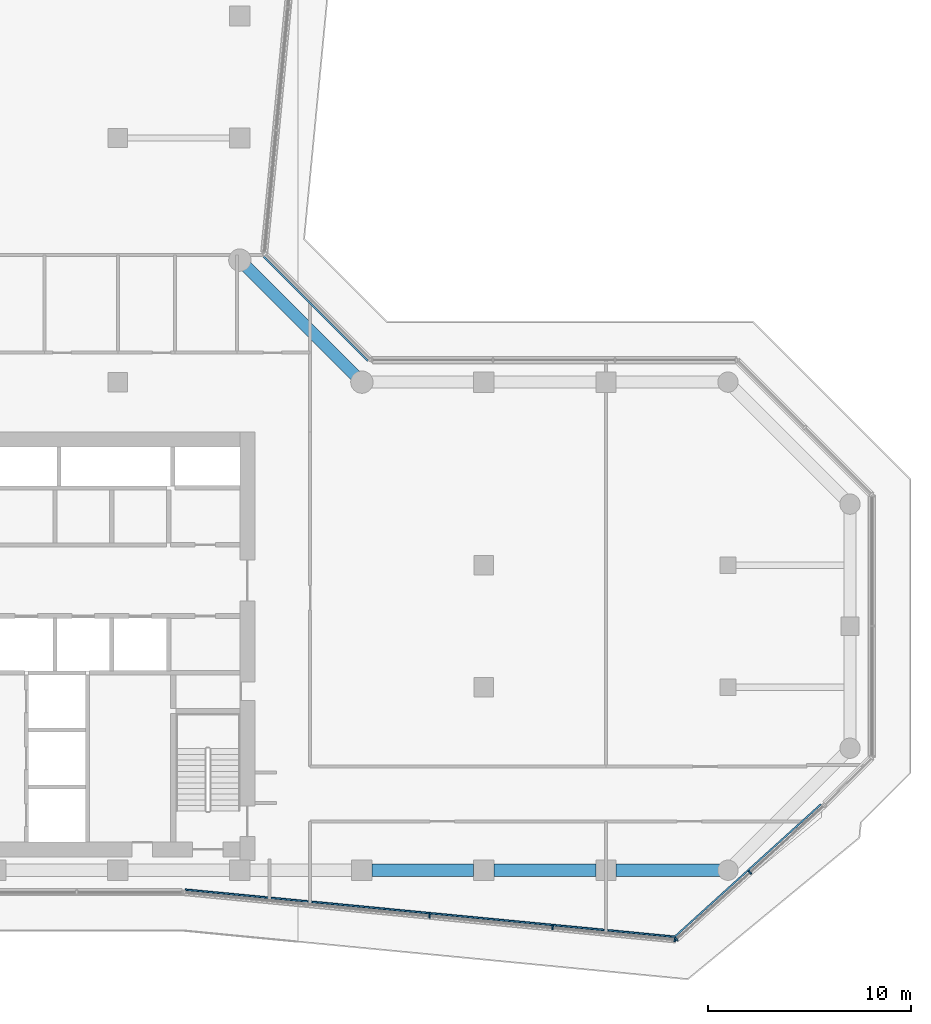
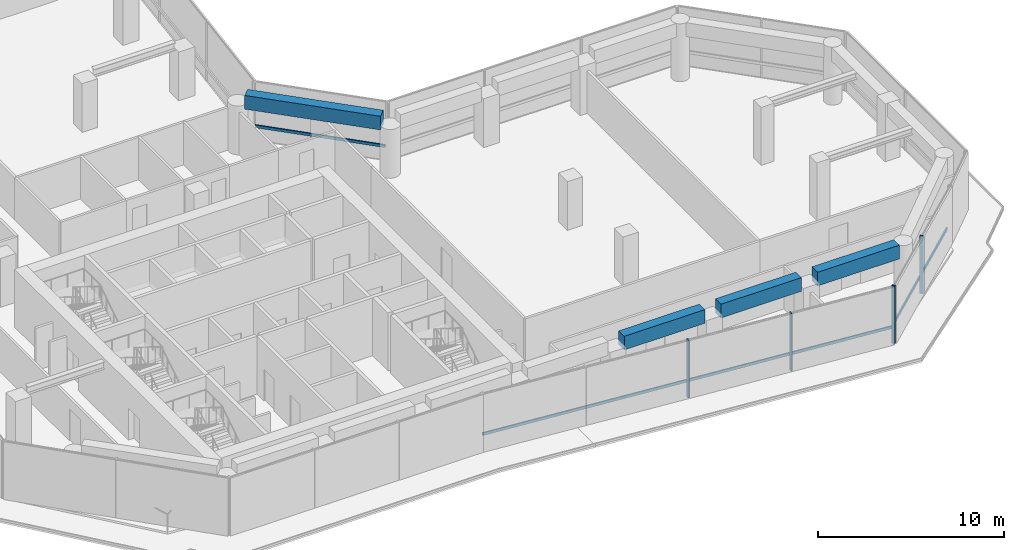
# One storey, part 3 of 12: 8 members, 4 beams, 3 elements without a shape of their own.
"""IFC4 building model written with IfcOpenShell, lengths in metres."""

import ifcopenshell
import ifcopenshell.guid

model = None  # the IFC model being written
_history = None  # IfcOwnerHistory: only IFC2X3 demands one
_inside = {}  # id of a spatial element -> (the spatial element, [elements in it])
_under = {}  # id of a project, library or spatial element -> (it, [spatial elements below it])
_declared = {}  # id of a project -> (the project, [libraries it declares])
_typed = {}  # id of a type object -> (the type object, [elements of that type])
_made_of = {}  # id of a material, layer set ... -> (it, [elements and type objects made of it])


def new_model(schema):
    """Start an empty IFC model of exactly this schema.

    Asked for "IFC4X3", IfcOpenShell would pick the latest addendum, in which some entities
    have other attributes; the version numbers below select the first issue.
    IFC2X3 requires an IfcOwnerHistory on every rooted entity: one is made here for all.
    """
    global model, _history
    if schema == "IFC4X3":
        model = ifcopenshell.file(schema_version=(4, 3, 0, 0))
    else:
        model = ifcopenshell.file(schema=schema)
    _inside.clear()
    _under.clear()
    _declared.clear()
    _typed.clear()
    _made_of.clear()
    _history = None
    if model.schema == "IFC2X3":
        org = make("IfcOrganization", Name="unknown")
        user = make(
            "IfcPersonAndOrganization",
            ThePerson=make("IfcPerson", FamilyName="unknown"),
            TheOrganization=org,
        )
        app = make(
            "IfcApplication",
            ApplicationDeveloper=org,
            Version="unknown",
            ApplicationFullName="unknown",
            ApplicationIdentifier="unknown",
        )
        _history = make(
            "IfcOwnerHistory",
            OwningUser=user,
            OwningApplication=app,
            ChangeAction="ADDED",
            CreationDate=0,
        )
    return model


def make(cls, **values):
    """One entity of the class cls with the attributes given. An attribute that is None is left unset."""
    return model.create_entity(
        cls, **{name: value for name, value in values.items() if value is not None}
    )


def rooted(cls, **values):
    """An entity with a GlobalId (a new one), such as an element, a storey or a relation."""
    return make(cls, GlobalId=ifcopenshell.guid.new(), OwnerHistory=_history, **values)


def si_unit(unit_type, name, prefix=None):
    """IfcSIUnit, for example si_unit("LENGTHUNIT", "METRE", prefix="MILLI")."""
    return make("IfcSIUnit", UnitType=unit_type, Prefix=prefix, Name=name)


def assignment(units):
    """IfcUnitAssignment: the units of a project."""
    return None if units is None else make("IfcUnitAssignment", Units=units)


def point(xyz):
    """IfcCartesianPoint."""
    return None if xyz is None else make("IfcCartesianPoint", Coordinates=xyz)


def direction(xyz):
    """IfcDirection."""
    return None if xyz is None else make("IfcDirection", DirectionRatios=xyz)


def frame(location, z_axis=None, x_axis=None):
    """IfcAxis2Placement3D, a coordinate frame: its origin and axes. An axis left out is left unset."""
    return make(
        "IfcAxis2Placement3D",
        Location=point(location),
        Axis=direction(z_axis),
        RefDirection=direction(x_axis),
    )


def frame_2d(location, x_axis=None):
    """IfcAxis2Placement2D, a coordinate frame in the plane: its origin and x axis."""
    return make(
        "IfcAxis2Placement2D", Location=point(location), RefDirection=direction(x_axis)
    )


def origin():
    """The frame at (0, 0, 0) with its axes left unset."""
    return frame((0.0, 0.0, 0.0))


def origin_2d():
    """The frame at (0, 0) in the plane with its x axis left unset."""
    return frame_2d((0.0, 0.0))


def place(relative_to, where):
    """IfcLocalPlacement: puts the frame where relative to a parent placement (None: the world)."""
    return make(
        "IfcLocalPlacement", PlacementRelTo=relative_to, RelativePlacement=where
    )


def context(
    kind, dimensions, precision=None, world=None, true_north=None, identifier=None
):
    """IfcGeometricRepresentationContext, for example the 3D "Model" context."""
    return make(
        "IfcGeometricRepresentationContext",
        ContextIdentifier=identifier,
        ContextType=kind,
        CoordinateSpaceDimension=dimensions,
        Precision=precision,
        WorldCoordinateSystem=world,
        TrueNorth=true_north,
    )


def subcontext(parent, identifier, kind, view, scale=None):
    """IfcGeometricRepresentationSubContext, for example "Body" below "Model"."""
    return make(
        "IfcGeometricRepresentationSubContext",
        ContextIdentifier=identifier,
        ContextType=kind,
        ParentContext=parent,
        TargetScale=scale,
        TargetView=view,
    )


def project(units=None, contexts=None):
    """IfcProject with its units and contexts."""
    return rooted(
        "IfcProject",
        Name="project",
        RepresentationContexts=contexts,
        UnitsInContext=assignment(units),
    )


def spatial(cls, under=None, at=None, **own):
    """A site, building, storey or space (cls), placed at a placement, below another one or the project."""
    s = rooted(cls, ObjectPlacement=at, **own)
    if under is not None:
        _under.setdefault(under.id(), (under, []))[1].append(s)
    return s


def profile(cls, at=None, kind="AREA", **sizes):
    """A parametric profile (cls). Its sizes go by their IFC names, for example OverallWidth=200.0."""
    return make(cls, ProfileType=kind, Position=at, **sizes)


def rectangle(**sizes):
    """IfcRectangleProfileDef."""
    return profile("IfcRectangleProfileDef", **sizes)


def extrude(swept, where, along, depth):
    """IfcExtrudedAreaSolid: the profile swept, set in the frame where, extruded along a direction by depth."""
    return make(
        "IfcExtrudedAreaSolid",
        SweptArea=swept,
        Position=where,
        ExtrudedDirection=direction(along),
        Depth=depth,
    )


def shape(context_of_items, identifier, shape_type, items):
    """IfcShapeRepresentation: the items that make up one representation, for example the "Body"."""
    return make(
        "IfcShapeRepresentation",
        ContextOfItems=context_of_items,
        RepresentationIdentifier=identifier,
        RepresentationType=shape_type,
        Items=items,
    )


def material(Name=None, Category=None):
    """IfcMaterial."""
    return make("IfcMaterial", Name=Name, Category=Category)


def layer(
    of_material, thickness, ventilated=None, Name=None, Category=None, Priority=None
):
    """IfcMaterialLayer: one layer of a wall or slab, of a material (None: an air gap)."""
    return make(
        "IfcMaterialLayer",
        Material=of_material,
        LayerThickness=thickness,
        IsVentilated=ventilated,
        Name=Name,
        Category=Category,
        Priority=Priority,
    )


def layer_set(layers, Name=None):
    """IfcMaterialLayerSet."""
    return make("IfcMaterialLayerSet", MaterialLayers=layers, LayerSetName=Name)


def material_profile(
    of_material, cross_section, Name=None, Category=None, Priority=None
):
    """IfcMaterialProfile: a cross section and its material."""
    return make(
        "IfcMaterialProfile",
        Name=Name,
        Material=of_material,
        Profile=cross_section,
        Priority=Priority,
        Category=Category,
    )


def profile_set(profiles, Name=None, composite=None):
    """IfcMaterialProfileSet."""
    return make(
        "IfcMaterialProfileSet",
        Name=Name,
        MaterialProfiles=profiles,
        CompositeProfile=composite,
    )


def made_of(thing, what):
    """Note that an element or type object is made of a material, layer set ...; save() writes the relation."""
    if what is not None:
        _made_of.setdefault(what.id(), (what, []))[1].append(thing)
    return thing


def type_object(cls, material=None, **own):
    """A type object (cls), such as IfcWallType, which elements share."""
    return made_of(rooted(cls, **own), material)


def element(
    cls,
    number,
    at=None,
    inside=None,
    cuts=None,
    type_object=None,
    material=None,
    context=None,
    identifier="Body",
    shape_type=None,
    held_by="IfcProductDefinitionShape",
    body=None,
    shapes=None,
    **own,
):
    """One element of the class cls, such as IfcWall. Its Tag is "e" and its number.

    at: its placement. inside: the storey or other place that contains it. cuts: it is an
    opening in that element (IfcRelVoidsElement). A single representation is given by context,
    identifier, shape_type and body (its items); several are given by shapes. held_by: the class
    of the entity that holds the representations. save() writes the other relations.
    """
    e = rooted(cls, Tag="e%d" % number, ObjectPlacement=at, **own)
    if body is not None:
        shapes = [shape(context, identifier, shape_type, body)]
    if shapes is not None:
        e.Representation = make(held_by, Representations=shapes)
    if inside is not None:
        _inside.setdefault(inside.id(), (inside, []))[1].append(e)
    if cuts is not None:
        rooted(
            "IfcRelVoidsElement", RelatingBuildingElement=cuts, RelatedOpeningElement=e
        )
    if type_object is not None:
        _typed.setdefault(type_object.id(), (type_object, []))[1].append(e)
    return made_of(e, material)


def aggregate(whole, parts):
    """IfcRelAggregates: a whole, such as a stair, and the parts it consists of."""
    return rooted("IfcRelAggregates", RelatingObject=whole, RelatedObjects=parts)


def save(model, path):
    """Write the relations noted so far, then the file.

    IfcRelAggregates (storeys below a building ...), IfcRelContainedInSpatialStructure (elements
    in a storey), IfcRelDefinesByType, IfcRelAssociatesMaterial and IfcRelDeclares: one each for
    every whole, place, type object, material and project.
    """
    for whole, parts in _under.values():
        aggregate(whole, parts)
    for where, things in _inside.values():
        rooted(
            "IfcRelContainedInSpatialStructure",
            RelatedElements=things,
            RelatingStructure=where,
        )
    for kind, things in _typed.values():
        rooted("IfcRelDefinesByType", RelatedObjects=things, RelatingType=kind)
    for what, things in _made_of.values():
        rooted("IfcRelAssociatesMaterial", RelatedObjects=things, RelatingMaterial=what)
    for by, libraries in _declared.values():
        rooted("IfcRelDeclares", RelatingContext=by, RelatedDefinitions=libraries)
    model.write(path)


model = new_model("IFC4")

# Units and contexts
model_context = context("Model", 3, precision=1e-05, world=origin(), true_north=direction((0.0, 1.0)))
body_context = subcontext(model_context, "Body", "Model", "MODEL_VIEW")
ifc_project = project(units=[si_unit("LENGTHUNIT", "METRE"), si_unit("AREAUNIT", "SQUARE_METRE"), si_unit("VOLUMEUNIT", "CUBIC_METRE"), si_unit("PLANEANGLEUNIT", "RADIAN"), si_unit("MASSUNIT", "GRAM", prefix="KILO")], contexts=[model_context])

# Site, building, storey
site_placement = place(None, origin())
site = spatial("IfcSite", under=ifc_project, at=site_placement, CompositionType="ELEMENT")
building_placement = place(site_placement, origin())
building = spatial("IfcBuilding", under=site, at=building_placement, Name="Welwitschia Terrace Campus", CompositionType="ELEMENT")
storey_placement = place(building_placement, frame((0.0, 0.0, 134.0)))
storey = spatial("IfcBuildingStorey", under=building, at=storey_placement, Name="L30", CompositionType="ELEMENT", Elevation=134.0)

# Curtain wall, members
ifc_material_1 = material(Name="Bronze anodised aluminium", Category="aluminium")
ifc_layer = layer(ifc_material_1, 0.199951171875)
ifc_layer_set = layer_set([ifc_layer], Name="Bronze anodised aluminium")
curtain_wall_type = type_object("IfcCurtainWallType", Name="Curtain wall CW6 plant floor 6000", PredefinedType="NOTDEFINED", material=ifc_layer_set)
curtain_wall_1_placement = place(storey_placement, origin())
curtain_wall_1 = element("IfcCurtainWall", 1, at=curtain_wall_1_placement, inside=storey, type_object=curtain_wall_type, Name="CW L30.3.0", PredefinedType="NOTDEFINED")
ifc_material_2 = material(Name="Bronze anodised aluminium", Category="aluminium")
ifc_material_profile_1 = material_profile(ifc_material_2, rectangle(XDim=0.199951171875, YDim=0.080078125, at=origin_2d()))
ifc_profile_set_1 = profile_set([ifc_material_profile_1], Name="Bronze anodised aluminium")
member_type_1 = type_object("IfcMemberType", Name="Mullion 80x200", PredefinedType="MULLION", material=ifc_profile_set_1)
member_1_placement = place(storey_placement, frame((33.32763671875, 1.74853515625, 0.0), z_axis=(0.0, 0.0, 1.0), x_axis=(0.09584575252, 0.995396198367, 0.0)))
member_1 = element("IfcMember", 2, at=member_1_placement, type_object=member_type_1, Name="Mullion L30.3.0.2", PredefinedType="MULLION", context=body_context, shape_type="SweptSolid", body=[
    extrude(rectangle(XDim=0.199951171875, YDim=0.080078125, at=origin_2d()), origin(), (0.0, 0.0, 1.0), 3.800048828125),
])
member_2_placement = place(storey_placement, frame((39.37890625, 1.166015625, 0.0), z_axis=(0.0, 0.0, 1.0), x_axis=(0.09584575252, 0.995396198367, 0.0)))
member_2 = element("IfcMember", 3, at=member_2_placement, type_object=member_type_1, Name="Mullion L30.3.0.3", PredefinedType="MULLION", context=body_context, shape_type="SweptSolid", body=[
    extrude(rectangle(XDim=0.199951171875, YDim=0.080078125, at=origin_2d()), origin(), (0.0, 0.0, 1.0), 3.800048828125),
])
member_3_placement = place(storey_placement, frame((45.390380859375, 0.587158203125, 0.0), z_axis=(0.0, 0.0, 1.0), x_axis=(0.09584575252, 0.995396198367, 0.0)))
member_3 = element("IfcMember", 4, at=member_3_placement, type_object=member_type_1, Name="Mullion L30.3.0.4", PredefinedType="MULLION", context=body_context, shape_type="SweptSolid", body=[
    extrude(rectangle(XDim=0.199951171875, YDim=0.080078125, at=origin_2d()), origin(), (0.0, 0.0, 1.0), 3.800048828125),
])

curtain_wall_2_placement = place(storey_placement, origin())
curtain_wall_2 = element("IfcCurtainWall", 5, at=curtain_wall_2_placement, inside=storey, type_object=curtain_wall_type, Name="CW L30.4.0", PredefinedType="NOTDEFINED")
member_4_placement = place(storey_placement, frame((45.4599609375, 0.610107421875, 0.0), z_axis=(0.0, 0.0, 1.0), x_axis=(-0.671290721771, 0.741194149237, 0.0)))
member_4 = element("IfcMember", 6, at=member_4_placement, type_object=member_type_1, Name="Mullion L30.4.0.0", PredefinedType="MULLION", context=body_context, shape_type="SweptSolid", body=[
    extrude(rectangle(XDim=0.199951171875, YDim=0.080078125, at=origin_2d()), origin(), (0.0, 0.0, 1.0), 3.800048828125),
])
member_5_placement = place(storey_placement, frame((49.082275390625, 3.890869140625, 0.0), z_axis=(0.0, 0.0, 1.0), x_axis=(-0.671290721771, 0.741194149237, 0.0)))
member_5 = element("IfcMember", 7, at=member_5_placement, type_object=member_type_1, Name="Mullion L30.4.0.1", PredefinedType="MULLION", context=body_context, shape_type="SweptSolid", body=[
    extrude(rectangle(XDim=0.199951171875, YDim=0.080078125, at=origin_2d()), origin(), (0.0, 0.0, 1.0), 3.800048828125),
])

# Beams
ifc_material_3 = material(Name="Concrete C60/75", Category="concrete")
ifc_material_profile_2 = material_profile(ifc_material_3, rectangle(XDim=0.60009765625, YDim=0.89990234375, at=origin_2d()))
ifc_profile_set_2 = profile_set([ifc_material_profile_2], Name="Concrete C60/75")
beam_type = type_object("IfcBeamType", Name="Ring spandrel 600x900", PredefinedType="SPANDREL", material=ifc_profile_set_2)
for number, where, z_axis, x_axis, name in (
    (8, (30.50048828125, 4.0, 3.35009765625), (1.0, 0.0, 0.0), (0.0, 1.0, 0.0), "Spandrel SP2"),
    (9, (36.50048828125, 4.0, 3.35009765625), (1.0, 0.0, 0.0), (0.0, 1.0, 0.0), "Spandrel SP2"),
):
    element("IfcBeam", number, at=place(storey_placement, frame(where, z_axis=z_axis, x_axis=x_axis)), inside=storey, type_object=beam_type, Name=name, PredefinedType="SPANDREL", context=body_context, shape_type="SweptSolid", body=[
        extrude(rectangle(XDim=0.60009765625, YDim=0.89990234375, at=origin_2d()), origin(), (0.0, 0.0, 1.0), 4.9990234375),
    ])
beam_1_placement = place(storey_placement, frame((42.50048828125, 4.0, 3.35009765625), z_axis=(1.0, 0.0, 0.0), x_axis=(0.0, 1.0, 0.0)))
element("IfcBeam", 10, at=beam_1_placement, inside=storey, type_object=beam_type, Name="Spandrel SP2", PredefinedType="SPANDREL", context=body_context, shape_type="SweptSolid", body=[
    extrude(rectangle(XDim=0.60009765625, YDim=0.89990234375, at=origin_2d()), origin(), (0.0, 0.0, 1.0), 5.09912109375),
])
beam_2_placement = place(storey_placement, frame((29.673583984375, 28.326416015625, 3.35009765625), z_axis=(-0.707106781187, 0.707106781187, 0.0), x_axis=(-0.707106781187, -0.707106781187, 0.0)))
element("IfcBeam", 11, at=beam_2_placement, inside=storey, type_object=beam_type, Name="Spandrel SP2", PredefinedType="SPANDREL", context=body_context, shape_type="SweptSolid", body=[
    extrude(rectangle(XDim=0.60009765625, YDim=0.89990234375, at=origin_2d()), origin(), (0.0, 0.0, 1.0), 7.56201171875),
])

# Member
ifc_material_4 = material(Name="Bronze anodised aluminium", Category="aluminium")
ifc_material_profile_3 = material_profile(ifc_material_4, rectangle(XDim=0.080078125, YDim=0.179931640625, at=origin_2d()))
ifc_profile_set_3 = profile_set([ifc_material_profile_3], Name="Bronze anodised aluminium")
member_type_2 = type_object("IfcMemberType", Name="Transom 80x180", PredefinedType="USERDEFINED", material=ifc_profile_set_3)
member_6_placement = place(storey_placement, frame((21.318115234375, 3.045654296875, 1.0), z_axis=(0.995395910007, -0.095848747213, 0.0), x_axis=(0.095848747213, 0.995395910007, 0.0)))
member_6 = element("IfcMember", 12, at=member_6_placement, type_object=member_type_2, Name="Transom L30.3.0", ObjectType="TRANSOM", PredefinedType="USERDEFINED", context=body_context, shape_type="SweptSolid", body=[
    extrude(rectangle(XDim=0.080078125, YDim=0.179931640625, at=origin_2d()), origin(), (0.0, 0.0, 1.0), 24.1572265625),
])

aggregate(curtain_wall_1, [member_1, member_2, member_3, member_6])

member_7_placement = place(storey_placement, frame((45.3955078125, 0.74072265625, 1.0), z_axis=(0.741197989998, 0.671286481037, 0.0), x_axis=(-0.671286481037, 0.741197989998, 0.0)))
member_7 = element("IfcMember", 13, at=member_7_placement, type_object=member_type_2, Name="Transom L30.4.0", ObjectType="TRANSOM", PredefinedType="USERDEFINED", context=body_context, shape_type="SweptSolid", body=[
    extrude(rectangle(XDim=0.080078125, YDim=0.179931640625, at=origin_2d()), origin(), (0.0, 0.0, 1.0), 9.694091796875),
])

aggregate(curtain_wall_2, [member_4, member_5, member_7])

# Curtain wall, member
curtain_wall_3_placement = place(storey_placement, origin())
curtain_wall_3 = element("IfcCurtainWall", 14, at=curtain_wall_3_placement, inside=storey, type_object=curtain_wall_type, Name="CW L30.9.0", PredefinedType="NOTDEFINED")
member_8_placement = place(storey_placement, frame((30.294189453125, 29.04345703125, 1.0), z_axis=(-0.707089951922, 0.70712361005, 0.0), x_axis=(-0.70712361005, -0.707089951922, 0.0)))
member_8 = element("IfcMember", 15, at=member_8_placement, type_object=member_type_2, Name="Transom L30.9.0", ObjectType="TRANSOM", PredefinedType="USERDEFINED", context=body_context, shape_type="SweptSolid", body=[
    extrude(rectangle(XDim=0.080078125, YDim=0.179931640625, at=origin_2d()), origin(), (0.0, 0.0, 1.0), 7.253662109375),
])
aggregate(curtain_wall_3, [member_8])

save(model, "model.ifc")
